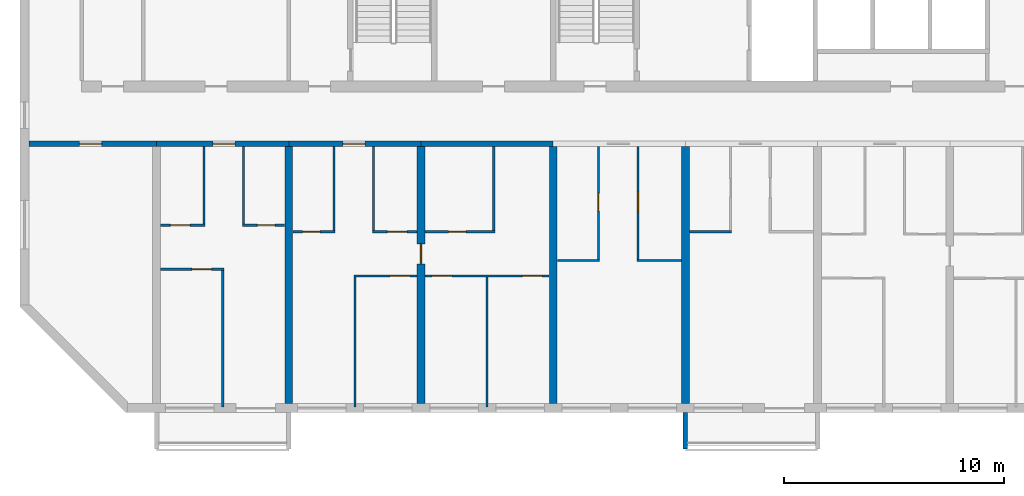
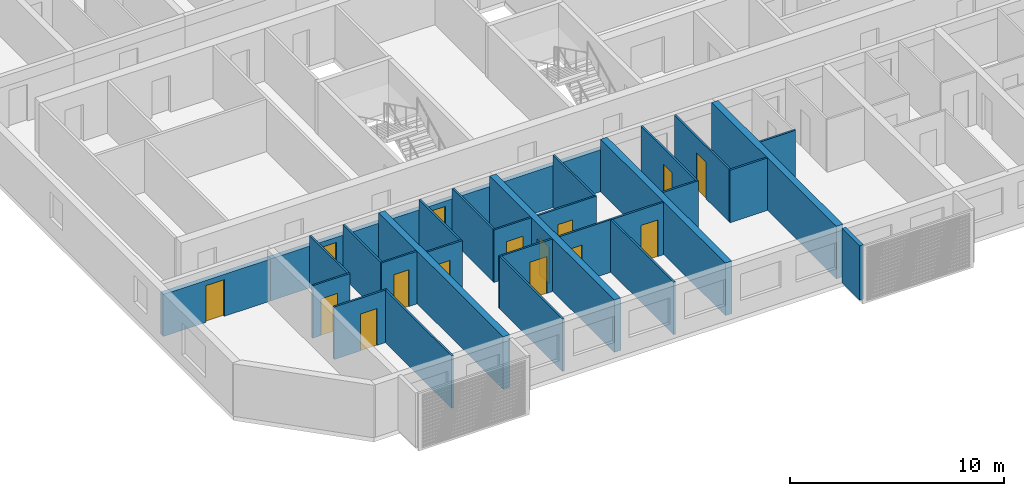
# One storey, part 2 of 24: 30 walls, 15 doors, 15 openings.
"""IFC4 building model written with IfcOpenShell, lengths in metres."""

from ifc_helpers import new_model, si_unit, direction, frame, frame_2d, origin, place, context, subcontext, project, spatial, polyline, rectangle, outline, extrude, source, transform, mapped, material, layer, layer_set, type_object, element, fill, save


model = new_model("IFC4")

# Units and contexts
model_context = context("Model", 3, precision=1e-05, world=origin(), true_north=direction((0.0, 1.0)))
body_context = subcontext(model_context, "Body", "Model", "MODEL_VIEW")
ifc_project = project(units=[si_unit("LENGTHUNIT", "METRE"), si_unit("AREAUNIT", "SQUARE_METRE"), si_unit("VOLUMEUNIT", "CUBIC_METRE"), si_unit("PLANEANGLEUNIT", "RADIAN"), si_unit("MASSUNIT", "GRAM", prefix="KILO")], contexts=[model_context])

# Site, building, storey
site_placement = place(None, origin())
site = spatial("IfcSite", under=ifc_project, at=site_placement, CompositionType="ELEMENT")
building_placement = place(site_placement, origin())
building = spatial("IfcBuilding", under=site, at=building_placement, Name="Poui Terraces", CompositionType="ELEMENT")
storey_placement = place(building_placement, frame((0.0, 0.0, 102.60009765625)))
storey = spatial("IfcBuildingStorey", under=building, at=storey_placement, Name="L28", CompositionType="ELEMENT", Elevation=102.60009765625)

# Wall, opening, door
ifc_material_1 = material(Name="Concrete 65 MPa", Category="concrete")
ifc_layer_1 = layer(ifc_material_1, 0.25)
ifc_layer_set_1 = layer_set([ifc_layer_1], Name="Concrete 65 MPa")
wall_type_1 = type_object("IfcWallType", Name="CORRIDOR WALL 250 65MPa", PredefinedType="SHEAR", material=ifc_layer_set_1)
wall_1_placement = place(storey_placement, frame((6.199951171875, 12.0, 0.0), z_axis=(0.0, 0.0, 1.0), x_axis=(1.0, 0.0, 0.0)))
wall_1 = element("IfcWall", 1, at=wall_1_placement, inside=storey, type_object=wall_type_1, Name="CORRIDOR WALL LINE B BAY 1", PredefinedType="SHEAR", context=body_context, shape_type="SweptSolid", body=[
    extrude(rectangle(XDim=5.800048828125, YDim=0.25, at=frame_2d((2.89990234375, 0.0))), origin(), (0.0, 0.0, 1.0), 2.39990234375),
])
opening_1_placement = place(wall_1_placement, frame((2.300048828125, 0.0, 0.0)))
opening_1 = element("IfcOpeningElement", 2, at=opening_1_placement, cuts=wall_1, Name="Opening D100", PredefinedType="OPENING", context=body_context, shape_type="SweptSolid", body=[
    extrude(rectangle(XDim=1.0, YDim=2.10009765625, at=frame_2d((0.5, 1.050048828125))), frame((0.0, 0.135009765625, 0.0), z_axis=(0.0, -1.0, 0.0), x_axis=(1.0, 0.0, 0.0)), (0.0, 0.0, 1.0), 0.27001953125),
])
ifc_material_2 = material(Name="Solid core timber door", Category="wood")
door_type_1 = type_object("IfcDoorType", Name="ACCESSIBLE INTERNAL DOOR 1000 X 2100", OperationType="NOTDEFINED", PredefinedType="DOOR", material=ifc_material_2)
door_1_placement = place(opening_1_placement, frame((1.0, 0.0, 0.0), z_axis=(0.0, 0.0, 1.0), x_axis=(-1.0, 0.0, 0.0)))
door_1 = element("IfcDoor", 3, at=door_1_placement, inside=storey, type_object=door_type_1, Name="ACCESSIBLE INTERNAL DOOR 080", OperationType="SINGLE_SWING_RIGHT", OverallHeight=2.10009765625, OverallWidth=1.0, PredefinedType="DOOR", context=body_context, shape_type="SweptSolid", body=[
    extrude(rectangle(XDim=1.0, YDim=2.10009765625, at=frame_2d((0.5, 1.050048828125))), frame((0.0, 0.02490234375, 0.0), z_axis=(0.0, -1.0, 0.0), x_axis=(1.0, 0.0, 0.0)), (0.0, 0.0, 1.0), 0.050048828125),
])
fill(opening_1, door_1)

wall_2_placement = place(storey_placement, frame((12.0, 12.0, 0.0), z_axis=(0.0, 0.0, 1.0), x_axis=(1.0, 0.0, 0.0)))
wall_2 = element("IfcWall", 4, at=wall_2_placement, inside=storey, type_object=wall_type_1, Name="CORRIDOR WALL LINE B BAY 2", PredefinedType="SHEAR", context=body_context, shape_type="SweptSolid", body=[
    extrude(rectangle(XDim=6.0, YDim=0.25, at=frame_2d((3.0, 0.0))), origin(), (0.0, 0.0, 1.0), 2.39990234375),
])
opening_2_placement = place(wall_2_placement, frame((2.550048828125, 0.0, 0.0)))
opening_2 = element("IfcOpeningElement", 5, at=opening_2_placement, cuts=wall_2, Name="Opening FD30S", PredefinedType="OPENING", context=body_context, shape_type="SweptSolid", body=[
    extrude(rectangle(XDim=1.0, YDim=2.10009765625, at=frame_2d((0.5, 1.050048828125))), frame((0.0, 0.135009765625, 0.0), z_axis=(0.0, -1.0, 0.0), x_axis=(1.0, 0.0, 0.0)), (0.0, 0.0, 1.0), 0.27001953125),
])
ifc_material_3 = material(Name="Steel fire door", Category="steel")
door_type_2 = type_object("IfcDoorType", Name="FLAT ENTRANCE DOOR 1000 X 2100", OperationType="NOTDEFINED", PredefinedType="DOOR", material=ifc_material_3)
door_2_placement = place(opening_2_placement, frame((1.0, 0.0, 0.0), z_axis=(0.0, 0.0, 1.0), x_axis=(-1.0, 0.0, 0.0)))
door_2 = element("IfcDoor", 6, at=door_2_placement, inside=storey, type_object=door_type_2, Name="FLAT ENTRANCE DOOR 083", OperationType="SINGLE_SWING_LEFT", OverallHeight=2.10009765625, OverallWidth=1.0, PredefinedType="DOOR", context=body_context, shape_type="SweptSolid", body=[
    extrude(rectangle(XDim=1.0, YDim=2.10009765625, at=frame_2d((0.5, 1.050048828125))), frame((0.0, 0.02490234375, 0.0), z_axis=(0.0, -1.0, 0.0), x_axis=(1.0, 0.0, 0.0)), (0.0, 0.0, 1.0), 0.050048828125),
])
fill(opening_2, door_2)

wall_3_placement = place(storey_placement, frame((18.0, 12.0, 0.0), z_axis=(0.0, 0.0, 1.0), x_axis=(1.0, 0.0, 0.0)))
wall_3 = element("IfcWall", 7, at=wall_3_placement, inside=storey, type_object=wall_type_1, Name="CORRIDOR WALL LINE B BAY 3", PredefinedType="SHEAR", context=body_context, shape_type="SweptSolid", body=[
    extrude(rectangle(XDim=6.0, YDim=0.25, at=frame_2d((3.0, 0.0))), origin(), (0.0, 0.0, 1.0), 2.39990234375),
])
opening_3_placement = place(wall_3_placement, frame((2.449951171875, 0.0, 0.0)))
opening_3 = element("IfcOpeningElement", 8, at=opening_3_placement, cuts=wall_3, Name="Opening FD30S", PredefinedType="OPENING", context=body_context, shape_type="SweptSolid", body=[
    extrude(rectangle(XDim=1.0, YDim=2.10009765625, at=frame_2d((0.5, 1.050048828125))), frame((0.0, 0.135009765625, 0.0), z_axis=(0.0, -1.0, 0.0), x_axis=(1.0, 0.0, 0.0)), (0.0, 0.0, 1.0), 0.27001953125),
])
door_3_placement = place(opening_3_placement, frame((1.0, 0.0, 0.0), z_axis=(0.0, 0.0, 1.0), x_axis=(-1.0, 0.0, 0.0)))
door_3 = element("IfcDoor", 9, at=door_3_placement, inside=storey, type_object=door_type_2, Name="FLAT ENTRANCE DOOR 089", OperationType="SINGLE_SWING_RIGHT", OverallHeight=2.10009765625, OverallWidth=1.0, PredefinedType="DOOR", context=body_context, shape_type="SweptSolid", body=[
    extrude(rectangle(XDim=1.0, YDim=2.10009765625, at=frame_2d((0.5, 1.050048828125))), frame((0.0, 0.02490234375, 0.0), z_axis=(0.0, -1.0, 0.0), x_axis=(1.0, 0.0, 0.0)), (0.0, 0.0, 1.0), 0.050048828125),
])
fill(opening_3, door_3)

# Walls
wall_4_placement = place(storey_placement, frame((24.0, 12.0, 0.0), z_axis=(0.0, 0.0, 1.0), x_axis=(1.0, 0.0, 0.0)))
element("IfcWall", 10, at=wall_4_placement, inside=storey, type_object=wall_type_1, Name="CORRIDOR WALL LINE B BAY 4", PredefinedType="SHEAR", context=body_context, shape_type="SweptSolid", body=[
    extrude(rectangle(XDim=6.0, YDim=0.25, at=frame_2d((3.0, 0.0))), origin(), (0.0, 0.0, 1.0), 2.39990234375),
])
ifc_layer_2 = layer(ifc_material_1, 0.35009765625)
ifc_layer_set_2 = layer_set([ifc_layer_2], Name="Concrete 65 MPa")
wall_type_2 = type_object("IfcWallType", Name="CROSS WALL 350 65MPa", PredefinedType="SHEAR", material=ifc_layer_set_2)
wall_5_placement = place(storey_placement, frame((18.0, 0.199951171875, 0.0), z_axis=(0.0, 0.0, 1.0), x_axis=(0.0, 1.0, 0.0)))
element("IfcWall", 11, at=wall_5_placement, inside=storey, type_object=wall_type_2, Name="CROSS WALL LINE 4 SOUTH", PredefinedType="SHEAR", context=body_context, shape_type="SweptSolid", body=[
    extrude(rectangle(XDim=11.675048828125, YDim=0.35009765625, at=frame_2d((5.83740234375, 0.0))), origin(), (0.0, 0.0, 1.0), 3.0),
])

# Wall, opening, door
wall_6_placement = place(storey_placement, frame((24.0, 0.199951171875, 0.0), z_axis=(0.0, 0.0, 1.0), x_axis=(0.0, 1.0, 0.0)))
wall_6 = element("IfcWall", 12, at=wall_6_placement, inside=storey, type_object=wall_type_2, Name="CROSS WALL LINE 5 SOUTH", PredefinedType="SHEAR", context=body_context, shape_type="SweptSolid", body=[
    extrude(rectangle(XDim=11.675048828125, YDim=0.35009765625, at=frame_2d((5.83740234375, 0.0))), origin(), (0.0, 0.0, 1.0), 3.0),
])
opening_4_placement = place(wall_6_placement, frame((6.35009765625, 0.0, 0.0)))
opening_4 = element("IfcOpeningElement", 13, at=opening_4_placement, cuts=wall_6, Name="Opening D90", PredefinedType="OPENING", context=body_context, shape_type="SweptSolid", body=[
    extrude(rectangle(XDim=0.89990234375, YDim=2.10009765625, at=frame_2d((0.449951171875, 1.050048828125))), frame((0.0, 0.18505859375, 0.0), z_axis=(0.0, -1.0, 0.0), x_axis=(1.0, 0.0, 0.0)), (0.0, 0.0, 1.0), 0.3701171875),
])
door_type_3 = type_object("IfcDoorType", Name="INTERNAL DOOR 900 X 2100", OperationType="NOTDEFINED", PredefinedType="DOOR", material=ifc_material_2)
door_4_placement = place(opening_4_placement, origin())
door_4 = element("IfcDoor", 14, at=door_4_placement, inside=storey, type_object=door_type_3, Name="INTERNAL DOOR 092", OperationType="SINGLE_SWING_RIGHT", OverallHeight=2.10009765625, OverallWidth=0.89990234375, PredefinedType="DOOR", context=body_context, shape_type="SweptSolid", body=[
    extrude(rectangle(XDim=0.89990234375, YDim=2.10009765625, at=frame_2d((0.449951171875, 1.050048828125))), frame((0.0, 0.02490234375, 0.0), z_axis=(0.0, -1.0, 0.0), x_axis=(1.0, 0.0, 0.0)), (0.0, 0.0, 1.0), 0.050048828125),
])
fill(opening_4, door_4)

# Walls
for number, where, z_axis, x_axis, name in (
    (15, (30.0, 0.199951171875, 0.0), (0.0, 0.0, 1.0), (0.0, 1.0, 0.0), "CROSS WALL LINE 6 SOUTH"),
    (16, (36.0, 0.199951171875, 0.0), (0.0, 0.0, 1.0), (0.0, 1.0, 0.0), "CROSS WALL LINE 7 SOUTH"),
):
    element("IfcWall", number, at=place(storey_placement, frame(where, z_axis=z_axis, x_axis=x_axis)), inside=storey, type_object=wall_type_2, Name=name, PredefinedType="SHEAR", context=body_context, shape_type="SweptSolid", body=[
        extrude(rectangle(XDim=11.675048828125, YDim=0.35009765625, at=frame_2d((5.83740234375, 0.0))), origin(), (0.0, 0.0, 1.0), 3.0),
    ])

# Wall, opening, door
ifc_material_4 = material(Name="Plasterboard partition")
ifc_layer_3 = layer(ifc_material_4, 0.10009765625)
ifc_layer_set_3 = layer_set([ifc_layer_3], Name="Plasterboard partition")
wall_type_3 = type_object("IfcWallType", Name="FLAT PARTITION 100", PredefinedType="PARTITIONING", material=ifc_layer_set_3)
wall_7_placement = place(storey_placement, frame((20.949951171875, 6.0, 0.0), z_axis=(0.0, 0.0, 1.0), x_axis=(1.0, 0.0, 0.0)))
wall_7 = element("IfcWall", 17, at=wall_7_placement, inside=storey, type_object=wall_type_3, Name="FLAT PARTITION 100", PredefinedType="PARTITIONING", context=body_context, shape_type="SweptSolid", body=[
    extrude(rectangle(XDim=2.864990234375, YDim=0.10009765625, at=frame_2d((1.4326171875, 0.0))), origin(), (0.0, 0.0, 1.0), 3.0),
])
opening_5_placement = place(wall_7_placement, frame((1.64990234375, 0.0, 0.0)))
opening_5 = element("IfcOpeningElement", 18, at=opening_5_placement, cuts=wall_7, Name="Opening D90", PredefinedType="OPENING", context=body_context, shape_type="SweptSolid", body=[
    extrude(rectangle(XDim=0.89990234375, YDim=2.10009765625, at=frame_2d((0.449951171875, 1.050048828125))), frame((0.0, 0.06005859375, 0.0), z_axis=(0.0, -1.0, 0.0), x_axis=(1.0, 0.0, 0.0)), (0.0, 0.0, 1.0), 0.1201171875),
])
door_5_placement = place(opening_5_placement, origin())
door_5 = element("IfcDoor", 19, at=door_5_placement, inside=storey, type_object=door_type_3, Name="INTERNAL DOOR 091", OperationType="SINGLE_SWING_LEFT", OverallHeight=2.10009765625, OverallWidth=0.89990234375, PredefinedType="DOOR", context=body_context, shape_type="SweptSolid", body=[
    extrude(rectangle(XDim=0.89990234375, YDim=2.10009765625, at=frame_2d((0.449951171875, 1.050048828125))), frame((0.0, 0.02490234375, 0.0), z_axis=(0.0, -1.0, 0.0), x_axis=(1.0, 0.0, 0.0)), (0.0, 0.0, 1.0), 0.050048828125),
])
fill(opening_5, door_5)

# Wall, openings, doors
wall_8_placement = place(storey_placement, frame((24.18505859375, 6.0, 0.0), z_axis=(0.0, 0.0, 1.0), x_axis=(1.0, 0.0, 0.0)))
wall_8 = element("IfcWall", 20, at=wall_8_placement, inside=storey, type_object=wall_type_3, Name="FLAT PARTITION 100", PredefinedType="PARTITIONING", context=body_context, shape_type="SweptSolid", body=[
    extrude(rectangle(XDim=5.6298828125, YDim=0.10009765625, at=frame_2d((2.81494140625, 0.0))), origin(), (0.0, 0.0, 1.0), 3.0),
])
opening_6_placement = place(wall_8_placement, frame((0.31494140625, 0.0, 0.0)))
opening_6 = element("IfcOpeningElement", 21, at=opening_6_placement, cuts=wall_8, Name="Opening D90", PredefinedType="OPENING", context=body_context, shape_type="SweptSolid", body=[
    extrude(rectangle(XDim=0.89990234375, YDim=2.10009765625, at=frame_2d((0.449951171875, 1.050048828125))), frame((0.0, 0.06005859375, 0.0), z_axis=(0.0, -1.0, 0.0), x_axis=(1.0, 0.0, 0.0)), (0.0, 0.0, 1.0), 0.1201171875),
])
opening_7_placement = place(wall_8_placement, frame((4.4150390625, 0.0, 0.0)))
opening_7 = element("IfcOpeningElement", 22, at=opening_7_placement, cuts=wall_8, Name="Opening D90", PredefinedType="OPENING", context=body_context, shape_type="SweptSolid", body=[
    extrude(rectangle(XDim=0.89990234375, YDim=2.10009765625, at=frame_2d((0.449951171875, 1.050048828125))), frame((0.0, 0.06005859375, 0.0), z_axis=(0.0, -1.0, 0.0), x_axis=(1.0, 0.0, 0.0)), (0.0, 0.0, 1.0), 0.1201171875),
])
door_6_placement = place(opening_6_placement, frame((0.89990234375, 0.0, 0.0), z_axis=(0.0, 0.0, 1.0), x_axis=(-1.0, 0.0, 0.0)))
door_6 = element("IfcDoor", 23, at=door_6_placement, inside=storey, type_object=door_type_3, Name="INTERNAL DOOR 085", OperationType="SINGLE_SWING_RIGHT", OverallHeight=2.10009765625, OverallWidth=0.89990234375, PredefinedType="DOOR", context=body_context, shape_type="SweptSolid", body=[
    extrude(rectangle(XDim=0.89990234375, YDim=2.10009765625, at=frame_2d((0.449951171875, 1.050048828125))), frame((0.0, 0.02490234375, 0.0), z_axis=(0.0, -1.0, 0.0), x_axis=(1.0, 0.0, 0.0)), (0.0, 0.0, 1.0), 0.050048828125),
])
fill(opening_6, door_6)
door_7_placement = place(opening_7_placement, frame((0.89990234375, 0.0, 0.0), z_axis=(0.0, 0.0, 1.0), x_axis=(-1.0, 0.0, 0.0)))
door_7 = element("IfcDoor", 24, at=door_7_placement, inside=storey, type_object=door_type_3, Name="INTERNAL DOOR 087", OperationType="SINGLE_SWING_LEFT", OverallHeight=2.10009765625, OverallWidth=0.89990234375, PredefinedType="DOOR", context=body_context, shape_type="SweptSolid", body=[
    extrude(rectangle(XDim=0.89990234375, YDim=2.10009765625, at=frame_2d((0.449951171875, 1.050048828125))), frame((0.0, 0.02490234375, 0.0), z_axis=(0.0, -1.0, 0.0), x_axis=(1.0, 0.0, 0.0)), (0.0, 0.0, 1.0), 0.050048828125),
])
fill(opening_7, door_7)

# Wall, opening, door
wall_9_placement = place(storey_placement, frame((12.18505859375, 6.300048828125, 0.0), z_axis=(0.0, 0.0, 1.0), x_axis=(1.0, 0.0, 0.0)))
wall_9 = element("IfcWall", 25, at=wall_9_placement, inside=storey, type_object=wall_type_3, Name="FLAT PARTITION 100", PredefinedType="PARTITIONING", context=body_context, shape_type="SweptSolid", body=[
    extrude(rectangle(XDim=2.864990234375, YDim=0.10009765625, at=frame_2d((1.4326171875, 0.0))), origin(), (0.0, 0.0, 1.0), 3.0),
])
opening_8_placement = place(wall_9_placement, frame((1.4150390625, 0.0, 0.0)))
opening_8 = element("IfcOpeningElement", 26, at=opening_8_placement, cuts=wall_9, Name="Opening D90", PredefinedType="OPENING", context=body_context, shape_type="SweptSolid", body=[
    extrude(rectangle(XDim=0.89990234375, YDim=2.10009765625, at=frame_2d((0.449951171875, 1.050048828125))), frame((0.0, 0.06005859375, 0.0), z_axis=(0.0, -1.0, 0.0), x_axis=(1.0, 0.0, 0.0)), (0.0, 0.0, 1.0), 0.1201171875),
])
door_8_placement = place(opening_8_placement, origin())
door_8 = element("IfcDoor", 27, at=door_8_placement, inside=storey, type_object=door_type_3, Name="INTERNAL DOOR 082", OperationType="SINGLE_SWING_LEFT", OverallHeight=2.10009765625, OverallWidth=0.89990234375, PredefinedType="DOOR", context=body_context, shape_type="SweptSolid", body=[
    extrude(rectangle(XDim=0.89990234375, YDim=2.10009765625, at=frame_2d((0.449951171875, 1.050048828125))), frame((0.0, 0.02490234375, 0.0), z_axis=(0.0, -1.0, 0.0), x_axis=(1.0, 0.0, 0.0)), (0.0, 0.0, 1.0), 0.050048828125),
])
fill(opening_8, door_8)

# Walls
wall_10_placement = place(storey_placement, frame((30.18505859375, 6.699951171875, 0.0), z_axis=(0.0, 0.0, 1.0), x_axis=(1.0, 0.0, 0.0)))
element("IfcWall", 28, at=wall_10_placement, inside=storey, type_object=wall_type_3, Name="FLAT PARTITION 100", PredefinedType="PARTITIONING", context=body_context, shape_type="SweptSolid", body=[
    extrude(rectangle(XDim=1.9150390625, YDim=0.10009765625, at=frame_2d((0.95751953125, 0.0))), origin(), (0.0, 0.0, 1.0), 3.0),
])
wall_11_placement = place(storey_placement, frame((33.800048828125, 6.699951171875, 0.0), z_axis=(0.0, 0.0, 1.0), x_axis=(1.0, 0.0, 0.0)))
element("IfcWall", 29, at=wall_11_placement, inside=storey, type_object=wall_type_3, Name="FLAT PARTITION 100", PredefinedType="PARTITIONING", context=body_context, shape_type="SweptSolid", body=[
    extrude(rectangle(XDim=2.014892578125, YDim=0.10009765625, at=frame_2d((1.00732421875, 0.0))), origin(), (0.0, 0.0, 1.0), 3.0),
])

# Wall, opening, door
wall_12_placement = place(storey_placement, frame((18.18505859375, 8.0, 0.0), z_axis=(0.0, 0.0, 1.0), x_axis=(1.0, 0.0, 0.0)))
wall_12 = element("IfcWall", 30, at=wall_12_placement, inside=storey, type_object=wall_type_3, Name="FLAT PARTITION 100", PredefinedType="PARTITIONING", context=body_context, shape_type="SweptSolid", body=[
    extrude(rectangle(XDim=1.9150390625, YDim=0.10009765625, at=frame_2d((0.95751953125, 0.0))), origin(), (0.0, 0.0, 1.0), 3.0),
])
opening_9_placement = place(wall_12_placement, frame((0.43994140625, 0.0, 0.0)))
opening_9 = element("IfcOpeningElement", 31, at=opening_9_placement, cuts=wall_12, Name="Opening D80", PredefinedType="OPENING", context=body_context, shape_type="SweptSolid", body=[
    extrude(rectangle(XDim=0.800048828125, YDim=2.10009765625, at=frame_2d((0.39990234375, 1.050048828125))), frame((0.0, 0.06005859375, 0.0), z_axis=(0.0, -1.0, 0.0), x_axis=(1.0, 0.0, 0.0)), (0.0, 0.0, 1.0), 0.1201171875),
])
door_type_4 = type_object("IfcDoorType", Name="BATHROOM, LAUNDRY AND STORE DOOR 800 X 2100", OperationType="NOTDEFINED", PredefinedType="DOOR", material=ifc_material_2)
door_9_placement = place(opening_9_placement, origin())
door_9 = element("IfcDoor", 32, at=door_9_placement, inside=storey, type_object=door_type_4, Name="BATHROOM, LAUNDRY AND STORE DOOR 088", OperationType="SINGLE_SWING_LEFT", OverallHeight=2.10009765625, OverallWidth=0.800048828125, PredefinedType="DOOR", context=body_context, shape_type="SweptSolid", body=[
    extrude(rectangle(XDim=0.800048828125, YDim=2.10009765625, at=frame_2d((0.39990234375, 1.050048828125))), frame((0.0, 0.02490234375, 0.0), z_axis=(0.0, -1.0, 0.0), x_axis=(1.0, 0.0, 0.0)), (0.0, 0.0, 1.0), 0.050048828125),
])
fill(opening_9, door_9)

wall_13_placement = place(storey_placement, frame((21.800048828125, 8.0, 0.0), z_axis=(0.0, 0.0, 1.0), x_axis=(1.0, 0.0, 0.0)))
wall_13 = element("IfcWall", 33, at=wall_13_placement, inside=storey, type_object=wall_type_3, Name="FLAT PARTITION 100", PredefinedType="PARTITIONING", context=body_context, shape_type="SweptSolid", body=[
    extrude(rectangle(XDim=2.014892578125, YDim=0.10009765625, at=frame_2d((1.00732421875, 0.0))), origin(), (0.0, 0.0, 1.0), 3.0),
])
opening_10_placement = place(wall_13_placement, frame((0.675048828125, 0.0, 0.0)))
opening_10 = element("IfcOpeningElement", 34, at=opening_10_placement, cuts=wall_13, Name="Opening D90", PredefinedType="OPENING", context=body_context, shape_type="SweptSolid", body=[
    extrude(rectangle(XDim=0.89990234375, YDim=2.10009765625, at=frame_2d((0.449951171875, 1.050048828125))), frame((0.0, 0.06005859375, 0.0), z_axis=(0.0, -1.0, 0.0), x_axis=(1.0, 0.0, 0.0)), (0.0, 0.0, 1.0), 0.1201171875),
])
door_10_placement = place(opening_10_placement, origin())
door_10 = element("IfcDoor", 35, at=door_10_placement, inside=storey, type_object=door_type_3, Name="INTERNAL DOOR 090", OperationType="SINGLE_SWING_RIGHT", OverallHeight=2.10009765625, OverallWidth=0.89990234375, PredefinedType="DOOR", context=body_context, shape_type="SweptSolid", body=[
    extrude(rectangle(XDim=0.89990234375, YDim=2.10009765625, at=frame_2d((0.449951171875, 1.050048828125))), frame((0.0, 0.02490234375, 0.0), z_axis=(0.0, -1.0, 0.0), x_axis=(1.0, 0.0, 0.0)), (0.0, 0.0, 1.0), 0.050048828125),
])
fill(opening_10, door_10)

wall_14_placement = place(storey_placement, frame((24.18505859375, 8.0, 0.0), z_axis=(0.0, 0.0, 1.0), x_axis=(1.0, 0.0, 0.0)))
wall_14 = element("IfcWall", 36, at=wall_14_placement, inside=storey, type_object=wall_type_3, Name="FLAT PARTITION 100", PredefinedType="PARTITIONING", context=body_context, shape_type="SweptSolid", body=[
    extrude(rectangle(XDim=3.1650390625, YDim=0.10009765625, at=frame_2d((1.58251953125, 0.0))), origin(), (0.0, 0.0, 1.0), 3.0),
])
opening_11_placement = place(wall_14_placement, frame((1.06494140625, 0.0, 0.0)))
opening_11 = element("IfcOpeningElement", 37, at=opening_11_placement, cuts=wall_14, Name="Opening D80", PredefinedType="OPENING", context=body_context, shape_type="SweptSolid", body=[
    extrude(rectangle(XDim=0.800048828125, YDim=2.10009765625, at=frame_2d((0.39990234375, 1.050048828125))), frame((0.0, 0.06005859375, 0.0), z_axis=(0.0, -1.0, 0.0), x_axis=(1.0, 0.0, 0.0)), (0.0, 0.0, 1.0), 0.1201171875),
])
door_11_placement = place(opening_11_placement, frame((0.800048828125, 0.0, 0.0), z_axis=(0.0, 0.0, 1.0), x_axis=(-1.0, 0.0, 0.0)))
door_11 = element("IfcDoor", 38, at=door_11_placement, inside=storey, type_object=door_type_4, Name="BATHROOM, LAUNDRY AND STORE DOOR 086", OperationType="SINGLE_SWING_LEFT", OverallHeight=2.10009765625, OverallWidth=0.800048828125, PredefinedType="DOOR", context=body_context, shape_type="SweptSolid", body=[
    extrude(rectangle(XDim=0.800048828125, YDim=2.10009765625, at=frame_2d((0.39990234375, 1.050048828125))), frame((0.0, 0.02490234375, 0.0), z_axis=(0.0, -1.0, 0.0), x_axis=(1.0, 0.0, 0.0)), (0.0, 0.0, 1.0), 0.050048828125),
])
fill(opening_11, door_11)

# Wall
wall_15_placement = place(storey_placement, frame((36.18505859375, 8.0, 0.0), z_axis=(0.0, 0.0, 1.0), x_axis=(1.0, 0.0, 0.0)))
element("IfcWall", 39, at=wall_15_placement, inside=storey, type_object=wall_type_3, Name="FLAT PARTITION 100", PredefinedType="PARTITIONING", context=body_context, shape_type="SweptSolid", body=[
    extrude(rectangle(XDim=1.9150390625, YDim=0.10009765625, at=frame_2d((0.95751953125, 0.0))), origin(), (0.0, 0.0, 1.0), 3.0),
])

# Wall, opening, door
wall_16_placement = place(storey_placement, frame((12.18505859375, 8.300048828125, 0.0), z_axis=(0.0, 0.0, 1.0), x_axis=(1.0, 0.0, 0.0)))
wall_16 = element("IfcWall", 40, at=wall_16_placement, inside=storey, type_object=wall_type_3, Name="FLAT PARTITION 100", PredefinedType="PARTITIONING", context=body_context, shape_type="SweptSolid", body=[
    extrude(rectangle(XDim=2.014892578125, YDim=0.10009765625, at=frame_2d((1.00732421875, 0.0))), origin(), (0.0, 0.0, 1.0), 3.0),
])
opening_12_placement = place(wall_16_placement, frame((0.43994140625, 0.0, 0.0)))
opening_12 = element("IfcOpeningElement", 41, at=opening_12_placement, cuts=wall_16, Name="Opening D90", PredefinedType="OPENING", context=body_context, shape_type="SweptSolid", body=[
    extrude(rectangle(XDim=0.89990234375, YDim=2.10009765625, at=frame_2d((0.449951171875, 1.050048828125))), frame((0.0, 0.06005859375, 0.0), z_axis=(0.0, -1.0, 0.0), x_axis=(1.0, 0.0, 0.0)), (0.0, 0.0, 1.0), 0.1201171875),
])
door_12_placement = place(opening_12_placement, origin())
door_12 = element("IfcDoor", 42, at=door_12_placement, inside=storey, type_object=door_type_3, Name="INTERNAL DOOR 081", OperationType="SINGLE_SWING_RIGHT", OverallHeight=2.10009765625, OverallWidth=0.89990234375, PredefinedType="DOOR", context=body_context, shape_type="SweptSolid", body=[
    extrude(rectangle(XDim=0.89990234375, YDim=2.10009765625, at=frame_2d((0.449951171875, 1.050048828125))), frame((0.0, 0.02490234375, 0.0), z_axis=(0.0, -1.0, 0.0), x_axis=(1.0, 0.0, 0.0)), (0.0, 0.0, 1.0), 0.050048828125),
])
fill(opening_12, door_12)

wall_17_placement = place(storey_placement, frame((15.89990234375, 8.300048828125, 0.0), z_axis=(0.0, 0.0, 1.0), x_axis=(1.0, 0.0, 0.0)))
wall_17 = element("IfcWall", 43, at=wall_17_placement, inside=storey, type_object=wall_type_3, Name="FLAT PARTITION 100", PredefinedType="PARTITIONING", context=body_context, shape_type="SweptSolid", body=[
    extrude(rectangle(XDim=1.9150390625, YDim=0.10009765625, at=frame_2d((0.95751953125, 0.0))), origin(), (0.0, 0.0, 1.0), 3.0),
])
opening_13_placement = place(wall_17_placement, frame((0.675048828125, 0.0, 0.0)))
opening_13 = element("IfcOpeningElement", 44, at=opening_13_placement, cuts=wall_17, Name="Opening D80", PredefinedType="OPENING", context=body_context, shape_type="SweptSolid", body=[
    extrude(rectangle(XDim=0.800048828125, YDim=2.10009765625, at=frame_2d((0.39990234375, 1.050048828125))), frame((0.0, 0.06005859375, 0.0), z_axis=(0.0, -1.0, 0.0), x_axis=(1.0, 0.0, 0.0)), (0.0, 0.0, 1.0), 0.1201171875),
])
door_13_placement = place(opening_13_placement, origin())
door_13 = element("IfcDoor", 45, at=door_13_placement, inside=storey, type_object=door_type_4, Name="BATHROOM, LAUNDRY AND STORE DOOR 084", OperationType="SINGLE_SWING_LEFT", OverallHeight=2.10009765625, OverallWidth=0.800048828125, PredefinedType="DOOR", context=body_context, shape_type="SweptSolid", body=[
    extrude(rectangle(XDim=0.800048828125, YDim=2.10009765625, at=frame_2d((0.39990234375, 1.050048828125))), frame((0.0, 0.02490234375, 0.0), z_axis=(0.0, -1.0, 0.0), x_axis=(1.0, 0.0, 0.0)), (0.0, 0.0, 1.0), 0.050048828125),
])
fill(opening_13, door_13)

# Walls
wall_18_placement = place(storey_placement, frame((14.14990234375, 8.35009765625, 0.0), z_axis=(0.0, 0.0, 1.0), x_axis=(0.0, 1.0, 0.0)))
element("IfcWall", 46, at=wall_18_placement, inside=storey, type_object=wall_type_3, Name="FLAT PARTITION 100", PredefinedType="PARTITIONING", context=body_context, shape_type="SweptSolid", body=[
    extrude(rectangle(XDim=3.514892578125, YDim=0.10009765625, at=frame_2d((1.75732421875, 0.0))), origin(), (0.0, 0.0, 1.0), 3.0),
])
wall_19_placement = place(storey_placement, frame((15.0, 0.06005859375, 0.0), z_axis=(0.0, 0.0, 1.0), x_axis=(0.0, 1.0, 0.0)))
element("IfcWall", 47, at=wall_19_placement, inside=storey, type_object=wall_type_3, Name="FLAT PARTITION 100", PredefinedType="PARTITIONING", context=body_context, shape_type="SweptSolid", body=[
    extrude(rectangle(XDim=6.18994140625, YDim=0.10009765625, at=frame_2d((3.094970703125, 0.0))), origin(), (0.0, 0.0, 1.0), 3.0),
])
wall_20_placement = place(storey_placement, frame((15.949951171875, 8.35009765625, 0.0), z_axis=(0.0, 0.0, 1.0), x_axis=(0.0, 1.0, 0.0)))
element("IfcWall", 48, at=wall_20_placement, inside=storey, type_object=wall_type_3, Name="FLAT PARTITION 100", PredefinedType="PARTITIONING", context=body_context, shape_type="SweptSolid", body=[
    extrude(rectangle(XDim=3.514892578125, YDim=0.10009765625, at=frame_2d((1.75732421875, 0.0))), origin(), (0.0, 0.0, 1.0), 3.0),
])
wall_21_placement = place(storey_placement, frame((20.050048828125, 8.050048828125, 0.0), z_axis=(0.0, 0.0, 1.0), x_axis=(0.0, 1.0, 0.0)))
element("IfcWall", 49, at=wall_21_placement, inside=storey, type_object=wall_type_3, Name="FLAT PARTITION 100", PredefinedType="PARTITIONING", context=body_context, shape_type="SweptSolid", body=[
    extrude(rectangle(XDim=3.81494140625, YDim=0.10009765625, at=frame_2d((1.907470703125, 0.0))), origin(), (0.0, 0.0, 1.0), 3.0),
])
wall_22_placement = place(storey_placement, frame((21.0, 0.06005859375, 0.0), z_axis=(0.0, 0.0, 1.0), x_axis=(0.0, 1.0, 0.0)))
element("IfcWall", 50, at=wall_22_placement, inside=storey, type_object=wall_type_3, Name="FLAT PARTITION 100", PredefinedType="PARTITIONING", context=body_context, shape_type="SweptSolid", body=[
    extrude(rectangle(XDim=5.889892578125, YDim=0.10009765625, at=frame_2d((2.94482421875, 0.0))), origin(), (0.0, 0.0, 1.0), 3.0),
])
wall_23_placement = place(storey_placement, frame((21.85009765625, 8.050048828125, 0.0), z_axis=(0.0, 0.0, 1.0), x_axis=(0.0, 1.0, 0.0)))
element("IfcWall", 51, at=wall_23_placement, inside=storey, type_object=wall_type_3, Name="FLAT PARTITION 100", PredefinedType="PARTITIONING", context=body_context, shape_type="SweptSolid", body=[
    extrude(rectangle(XDim=3.81494140625, YDim=0.10009765625, at=frame_2d((1.907470703125, 0.0))), origin(), (0.0, 0.0, 1.0), 3.0),
])
wall_24_placement = place(storey_placement, frame((27.0, 0.06005859375, 0.0), z_axis=(0.0, 0.0, 1.0), x_axis=(0.0, 1.0, 0.0)))
element("IfcWall", 52, at=wall_24_placement, inside=storey, type_object=wall_type_3, Name="FLAT PARTITION 100", PredefinedType="PARTITIONING", context=body_context, shape_type="SweptSolid", body=[
    extrude(rectangle(XDim=5.889892578125, YDim=0.10009765625, at=frame_2d((2.94482421875, 0.0))), origin(), (0.0, 0.0, 1.0), 3.0),
])
wall_25_placement = place(storey_placement, frame((27.300048828125, 8.050048828125, 0.0), z_axis=(0.0, 0.0, 1.0), x_axis=(0.0, 1.0, 0.0)))
element("IfcWall", 53, at=wall_25_placement, inside=storey, type_object=wall_type_3, Name="FLAT PARTITION 100", PredefinedType="PARTITIONING", context=body_context, shape_type="SweptSolid", body=[
    extrude(rectangle(XDim=3.81494140625, YDim=0.10009765625, at=frame_2d((1.907470703125, 0.0))), origin(), (0.0, 0.0, 1.0), 3.0),
])

# Wall, opening, door
wall_26_placement = place(storey_placement, frame((32.050048828125, 6.75, 0.0), z_axis=(0.0, 0.0, 1.0), x_axis=(0.0, 1.0, 0.0)))
wall_26 = element("IfcWall", 54, at=wall_26_placement, inside=storey, type_object=wall_type_3, Name="FLAT PARTITION 100", PredefinedType="PARTITIONING", context=body_context, shape_type="SweptSolid", body=[
    extrude(rectangle(XDim=5.114990234375, YDim=0.10009765625, at=frame_2d((2.5576171875, 0.0))), origin(), (0.0, 0.0, 1.0), 3.0),
])
opening_14_placement = place(wall_26_placement, frame((2.199951171875, 0.0, 0.0)))
opening_14 = element("IfcOpeningElement", 55, at=opening_14_placement, cuts=wall_26, Name="Opening D80", PredefinedType="OPENING", context=body_context, shape_type="SweptSolid", body=[
    extrude(rectangle(XDim=0.800048828125, YDim=2.10009765625, at=frame_2d((0.39990234375, 1.050048828125))), frame((0.0, 0.06005859375, 0.0), z_axis=(0.0, -1.0, 0.0), x_axis=(1.0, 0.0, 0.0)), (0.0, 0.0, 1.0), 0.1201171875),
])
door_14_placement = place(opening_14_placement, origin())
door_14 = element("IfcDoor", 56, at=door_14_placement, inside=storey, type_object=door_type_4, Name="BATHROOM, LAUNDRY AND STORE DOOR 093", OperationType="SINGLE_SWING_LEFT", OverallHeight=2.10009765625, OverallWidth=0.800048828125, PredefinedType="DOOR", context=body_context, shape_type="SweptSolid", body=[
    extrude(rectangle(XDim=0.800048828125, YDim=2.10009765625, at=frame_2d((0.39990234375, 1.050048828125))), frame((0.0, 0.02490234375, 0.0), z_axis=(0.0, -1.0, 0.0), x_axis=(1.0, 0.0, 0.0)), (0.0, 0.0, 1.0), 0.050048828125),
])
fill(opening_14, door_14)

wall_27_placement = place(storey_placement, frame((33.85009765625, 6.75, 0.0), z_axis=(0.0, 0.0, 1.0), x_axis=(0.0, 1.0, 0.0)))
wall_27 = element("IfcWall", 57, at=wall_27_placement, inside=storey, type_object=wall_type_3, Name="FLAT PARTITION 100", PredefinedType="PARTITIONING", context=body_context, shape_type="SweptSolid", body=[
    extrude(rectangle(XDim=5.114990234375, YDim=0.10009765625, at=frame_2d((2.5576171875, 0.0))), origin(), (0.0, 0.0, 1.0), 3.0),
])
opening_15_placement = place(wall_27_placement, frame((2.14990234375, 0.0, 0.0)))
opening_15 = element("IfcOpeningElement", 58, at=opening_15_placement, cuts=wall_27, Name="Opening D90", PredefinedType="OPENING", context=body_context, shape_type="SweptSolid", body=[
    extrude(rectangle(XDim=0.89990234375, YDim=2.10009765625, at=frame_2d((0.449951171875, 1.050048828125))), frame((0.0, 0.06005859375, 0.0), z_axis=(0.0, -1.0, 0.0), x_axis=(1.0, 0.0, 0.0)), (0.0, 0.0, 1.0), 0.1201171875),
])
door_15_placement = place(opening_15_placement, frame((0.89990234375, 0.0, 0.0), z_axis=(0.0, 0.0, 1.0), x_axis=(-1.0, 0.0, 0.0)))
door_15 = element("IfcDoor", 59, at=door_15_placement, inside=storey, type_object=door_type_3, Name="INTERNAL DOOR 095", OperationType="SINGLE_SWING_LEFT", OverallHeight=2.10009765625, OverallWidth=0.89990234375, PredefinedType="DOOR", context=body_context, shape_type="SweptSolid", body=[
    extrude(rectangle(XDim=0.89990234375, YDim=2.10009765625, at=frame_2d((0.449951171875, 1.050048828125))), frame((0.0, 0.02490234375, 0.0), z_axis=(0.0, -1.0, 0.0), x_axis=(1.0, 0.0, 0.0)), (0.0, 0.0, 1.0), 0.050048828125),
])
fill(opening_15, door_15)

# Wall
ifc_material_5 = material(Name="Precast concrete 40 MPa", Category="concrete")
ifc_layer_4 = layer(ifc_material_5, 0.199951171875)
ifc_layer_set_4 = layer_set([ifc_layer_4], Name="Precast concrete 40 MPa")
wall_type_4 = type_object("IfcWallType", Name="REAR FIN 200", PredefinedType="STANDARD", material=ifc_layer_set_4)
shared_shape = source(origin(), body_context, "Body", "SweptSolid", [
    extrude(outline(polyline([(0.0, 0.0), (0.2001953125, 0.0), (0.2001953125, 1.650146484375), (0.0, 1.650146484375), (0.0, 0.0)])), origin(), (0.0, 0.0, 1.0), 3.099853515625),
])
wall_28_placement = place(storey_placement, frame((35.89990234375, -1.85009765625, 0.0)))
element("IfcWall", 60, at=wall_28_placement, inside=storey, type_object=wall_type_4, Name="REAR FIN", PredefinedType="STANDARD", context=body_context, shape_type="MappedRepresentation", body=[
    mapped(shared_shape, transform((0.0, 0.0, 0.0))),
])

save(model, "model.ifc")
